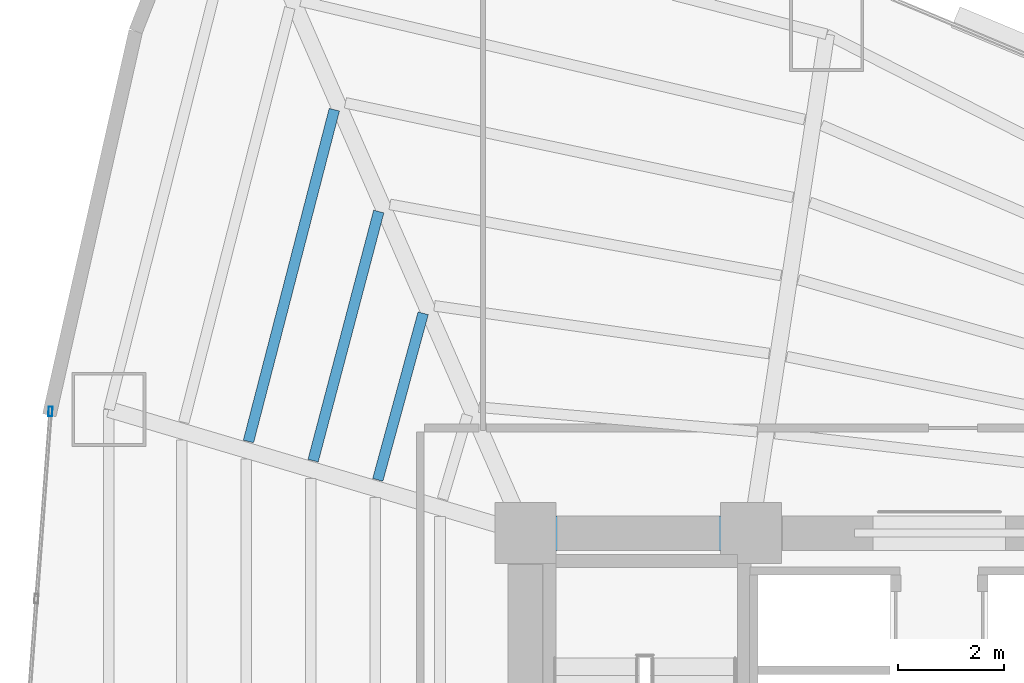
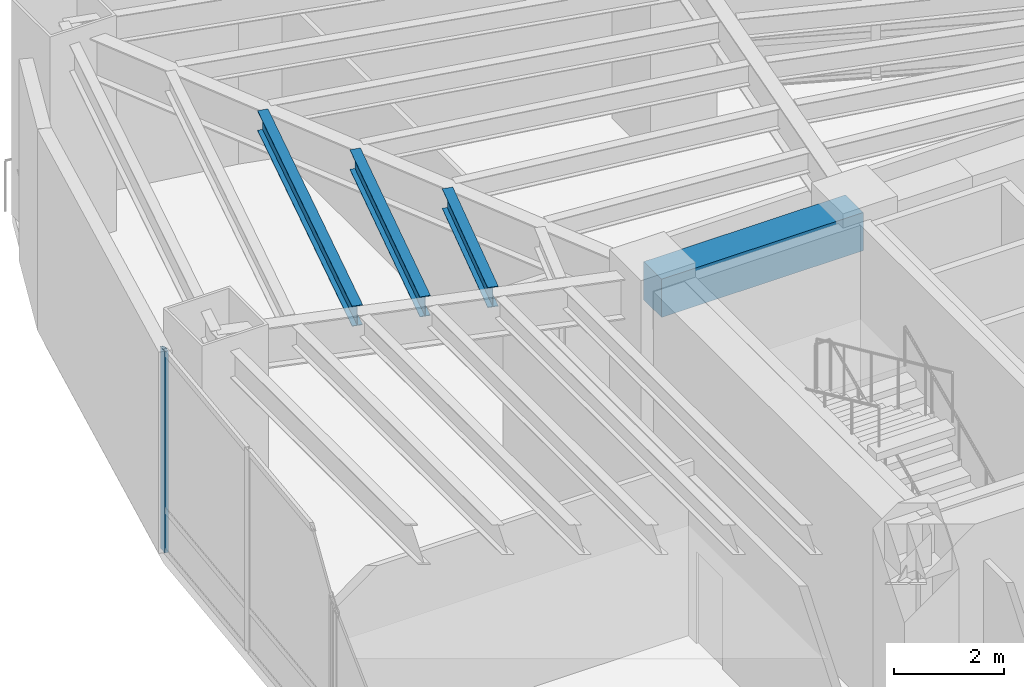
# One storey, part 8 of 18: 4 beams, 1 member, 1 element without a shape of its own.
"""IFC4 building model written with IfcOpenShell, lengths in metres."""

import ifcopenshell
import ifcopenshell.guid

model = None  # the IFC model being written
_history = None  # IfcOwnerHistory: only IFC2X3 demands one
_inside = {}  # id of a spatial element -> (the spatial element, [elements in it])
_under = {}  # id of a project, library or spatial element -> (it, [spatial elements below it])
_declared = {}  # id of a project -> (the project, [libraries it declares])
_typed = {}  # id of a type object -> (the type object, [elements of that type])
_made_of = {}  # id of a material, layer set ... -> (it, [elements and type objects made of it])


def new_model(schema):
    """Start an empty IFC model of exactly this schema.

    Asked for "IFC4X3", IfcOpenShell would pick the latest addendum, in which some entities
    have other attributes; the version numbers below select the first issue.
    IFC2X3 requires an IfcOwnerHistory on every rooted entity: one is made here for all.
    """
    global model, _history
    if schema == "IFC4X3":
        model = ifcopenshell.file(schema_version=(4, 3, 0, 0))
    else:
        model = ifcopenshell.file(schema=schema)
    _inside.clear()
    _under.clear()
    _declared.clear()
    _typed.clear()
    _made_of.clear()
    _history = None
    if model.schema == "IFC2X3":
        org = make("IfcOrganization", Name="unknown")
        user = make(
            "IfcPersonAndOrganization",
            ThePerson=make("IfcPerson", FamilyName="unknown"),
            TheOrganization=org,
        )
        app = make(
            "IfcApplication",
            ApplicationDeveloper=org,
            Version="unknown",
            ApplicationFullName="unknown",
            ApplicationIdentifier="unknown",
        )
        _history = make(
            "IfcOwnerHistory",
            OwningUser=user,
            OwningApplication=app,
            ChangeAction="ADDED",
            CreationDate=0,
        )
    return model


def make(cls, **values):
    """One entity of the class cls with the attributes given. An attribute that is None is left unset."""
    return model.create_entity(
        cls, **{name: value for name, value in values.items() if value is not None}
    )


def rooted(cls, **values):
    """An entity with a GlobalId (a new one), such as an element, a storey or a relation."""
    return make(cls, GlobalId=ifcopenshell.guid.new(), OwnerHistory=_history, **values)


def si_unit(unit_type, name, prefix=None):
    """IfcSIUnit, for example si_unit("LENGTHUNIT", "METRE", prefix="MILLI")."""
    return make("IfcSIUnit", UnitType=unit_type, Prefix=prefix, Name=name)


def assignment(units):
    """IfcUnitAssignment: the units of a project."""
    return None if units is None else make("IfcUnitAssignment", Units=units)


def point(xyz):
    """IfcCartesianPoint."""
    return None if xyz is None else make("IfcCartesianPoint", Coordinates=xyz)


def direction(xyz):
    """IfcDirection."""
    return None if xyz is None else make("IfcDirection", DirectionRatios=xyz)


def frame(location, z_axis=None, x_axis=None):
    """IfcAxis2Placement3D, a coordinate frame: its origin and axes. An axis left out is left unset."""
    return make(
        "IfcAxis2Placement3D",
        Location=point(location),
        Axis=direction(z_axis),
        RefDirection=direction(x_axis),
    )


def frame_2d(location, x_axis=None):
    """IfcAxis2Placement2D, a coordinate frame in the plane: its origin and x axis."""
    return make(
        "IfcAxis2Placement2D", Location=point(location), RefDirection=direction(x_axis)
    )


def origin():
    """The frame at (0, 0, 0) with its axes left unset."""
    return frame((0.0, 0.0, 0.0))


def origin_2d():
    """The frame at (0, 0) in the plane with its x axis left unset."""
    return frame_2d((0.0, 0.0))


def place(relative_to, where):
    """IfcLocalPlacement: puts the frame where relative to a parent placement (None: the world)."""
    return make(
        "IfcLocalPlacement", PlacementRelTo=relative_to, RelativePlacement=where
    )


def context(
    kind, dimensions, precision=None, world=None, true_north=None, identifier=None
):
    """IfcGeometricRepresentationContext, for example the 3D "Model" context."""
    return make(
        "IfcGeometricRepresentationContext",
        ContextIdentifier=identifier,
        ContextType=kind,
        CoordinateSpaceDimension=dimensions,
        Precision=precision,
        WorldCoordinateSystem=world,
        TrueNorth=true_north,
    )


def subcontext(parent, identifier, kind, view, scale=None):
    """IfcGeometricRepresentationSubContext, for example "Body" below "Model"."""
    return make(
        "IfcGeometricRepresentationSubContext",
        ContextIdentifier=identifier,
        ContextType=kind,
        ParentContext=parent,
        TargetScale=scale,
        TargetView=view,
    )


def project(units=None, contexts=None):
    """IfcProject with its units and contexts."""
    return rooted(
        "IfcProject",
        Name="project",
        RepresentationContexts=contexts,
        UnitsInContext=assignment(units),
    )


def spatial(cls, under=None, at=None, **own):
    """A site, building, storey or space (cls), placed at a placement, below another one or the project."""
    s = rooted(cls, ObjectPlacement=at, **own)
    if under is not None:
        _under.setdefault(under.id(), (under, []))[1].append(s)
    return s


def profile(cls, at=None, kind="AREA", **sizes):
    """A parametric profile (cls). Its sizes go by their IFC names, for example OverallWidth=200.0."""
    return make(cls, ProfileType=kind, Position=at, **sizes)


def rectangle(**sizes):
    """IfcRectangleProfileDef."""
    return profile("IfcRectangleProfileDef", **sizes)


def hollow_rectangle(**sizes):
    """IfcRectangleHollowProfileDef."""
    return profile("IfcRectangleHollowProfileDef", **sizes)


def i_section(**sizes):
    """IfcIShapeProfileDef."""
    return profile("IfcIShapeProfileDef", **sizes)


def extrude(swept, where, along, depth):
    """IfcExtrudedAreaSolid: the profile swept, set in the frame where, extruded along a direction by depth."""
    return make(
        "IfcExtrudedAreaSolid",
        SweptArea=swept,
        Position=where,
        ExtrudedDirection=direction(along),
        Depth=depth,
    )


def shape(context_of_items, identifier, shape_type, items):
    """IfcShapeRepresentation: the items that make up one representation, for example the "Body"."""
    return make(
        "IfcShapeRepresentation",
        ContextOfItems=context_of_items,
        RepresentationIdentifier=identifier,
        RepresentationType=shape_type,
        Items=items,
    )


def material(Name=None, Category=None):
    """IfcMaterial."""
    return make("IfcMaterial", Name=Name, Category=Category)


def layer(
    of_material, thickness, ventilated=None, Name=None, Category=None, Priority=None
):
    """IfcMaterialLayer: one layer of a wall or slab, of a material (None: an air gap)."""
    return make(
        "IfcMaterialLayer",
        Material=of_material,
        LayerThickness=thickness,
        IsVentilated=ventilated,
        Name=Name,
        Category=Category,
        Priority=Priority,
    )


def layer_set(layers, Name=None):
    """IfcMaterialLayerSet."""
    return make("IfcMaterialLayerSet", MaterialLayers=layers, LayerSetName=Name)


def material_profile(
    of_material, cross_section, Name=None, Category=None, Priority=None
):
    """IfcMaterialProfile: a cross section and its material."""
    return make(
        "IfcMaterialProfile",
        Name=Name,
        Material=of_material,
        Profile=cross_section,
        Priority=Priority,
        Category=Category,
    )


def profile_set(profiles, Name=None, composite=None):
    """IfcMaterialProfileSet."""
    return make(
        "IfcMaterialProfileSet",
        Name=Name,
        MaterialProfiles=profiles,
        CompositeProfile=composite,
    )


def made_of(thing, what):
    """Note that an element or type object is made of a material, layer set ...; save() writes the relation."""
    if what is not None:
        _made_of.setdefault(what.id(), (what, []))[1].append(thing)
    return thing


def type_object(cls, material=None, **own):
    """A type object (cls), such as IfcWallType, which elements share."""
    return made_of(rooted(cls, **own), material)


def element(
    cls,
    number,
    at=None,
    inside=None,
    cuts=None,
    type_object=None,
    material=None,
    context=None,
    identifier="Body",
    shape_type=None,
    held_by="IfcProductDefinitionShape",
    body=None,
    shapes=None,
    **own,
):
    """One element of the class cls, such as IfcWall. Its Tag is "e" and its number.

    at: its placement. inside: the storey or other place that contains it. cuts: it is an
    opening in that element (IfcRelVoidsElement). A single representation is given by context,
    identifier, shape_type and body (its items); several are given by shapes. held_by: the class
    of the entity that holds the representations. save() writes the other relations.
    """
    e = rooted(cls, Tag="e%d" % number, ObjectPlacement=at, **own)
    if body is not None:
        shapes = [shape(context, identifier, shape_type, body)]
    if shapes is not None:
        e.Representation = make(held_by, Representations=shapes)
    if inside is not None:
        _inside.setdefault(inside.id(), (inside, []))[1].append(e)
    if cuts is not None:
        rooted(
            "IfcRelVoidsElement", RelatingBuildingElement=cuts, RelatedOpeningElement=e
        )
    if type_object is not None:
        _typed.setdefault(type_object.id(), (type_object, []))[1].append(e)
    return made_of(e, material)


def aggregate(whole, parts):
    """IfcRelAggregates: a whole, such as a stair, and the parts it consists of."""
    return rooted("IfcRelAggregates", RelatingObject=whole, RelatedObjects=parts)


def save(model, path):
    """Write the relations noted so far, then the file.

    IfcRelAggregates (storeys below a building ...), IfcRelContainedInSpatialStructure (elements
    in a storey), IfcRelDefinesByType, IfcRelAssociatesMaterial and IfcRelDeclares: one each for
    every whole, place, type object, material and project.
    """
    for whole, parts in _under.values():
        aggregate(whole, parts)
    for where, things in _inside.values():
        rooted(
            "IfcRelContainedInSpatialStructure",
            RelatedElements=things,
            RelatingStructure=where,
        )
    for kind, things in _typed.values():
        rooted("IfcRelDefinesByType", RelatedObjects=things, RelatingType=kind)
    for what, things in _made_of.values():
        rooted("IfcRelAssociatesMaterial", RelatedObjects=things, RelatingMaterial=what)
    for by, libraries in _declared.values():
        rooted("IfcRelDeclares", RelatingContext=by, RelatedDefinitions=libraries)
    model.write(path)


model = new_model("IFC4")

# Units and contexts
model_context = context("Model", 3, precision=1e-05, world=origin(), true_north=direction((0.0, 1.0)))
body_context = subcontext(model_context, "Body", "Model", "MODEL_VIEW")
ifc_project = project(units=[si_unit("LENGTHUNIT", "METRE"), si_unit("AREAUNIT", "SQUARE_METRE"), si_unit("VOLUMEUNIT", "CUBIC_METRE"), si_unit("PLANEANGLEUNIT", "RADIAN"), si_unit("MASSUNIT", "GRAM", prefix="KILO")], contexts=[model_context])

# Site, building, storey
site_placement = place(None, origin())
site = spatial("IfcSite", under=ifc_project, at=site_placement, CompositionType="ELEMENT")
building_placement = place(site_placement, origin())
building = spatial("IfcBuilding", under=site, at=building_placement, Name="Menara Vayukalpa", CompositionType="ELEMENT")
storey_placement = place(building_placement, frame((0.0, 0.0, 7.199951171875)))
storey = spatial("IfcBuildingStorey", under=building, at=storey_placement, Name="L01", CompositionType="ELEMENT", Elevation=7.199951171875)

# Beams
ifc_material_1 = material(Name="Concrete C60/75", Category="concrete")
ifc_material_profile_1 = material_profile(ifc_material_1, rectangle(XDim=0.64990234375, YDim=0.85009765625, at=origin_2d()), Name="RC 650x850")
ifc_profile_set_1 = profile_set([ifc_material_profile_1], Name="Concrete C60/75")
beam_type_1 = type_object("IfcBeamType", Name="BM-CB1", PredefinedType="BEAM", material=ifc_profile_set_1)
beam_1_placement = place(storey_placement, frame((17.800048828125, 26.800048828125, 4.054931640625), z_axis=(1.0, 0.0, 0.0), x_axis=(0.0, 1.0, 0.0)))
element("IfcBeam", 1, at=beam_1_placement, inside=storey, type_object=beam_type_1, Name="L01 Core Tie Beam CBR4", PredefinedType="BEAM", context=body_context, shape_type="SweptSolid", body=[
    extrude(rectangle(XDim=0.64990234375, YDim=0.85009765625, at=origin_2d()), origin(), (0.0, 0.0, 1.0), 4.25),
])
ifc_material_2 = material(Name="Steel S355", Category="steel")
ifc_material_profile_2 = material_profile(ifc_material_2, i_section(OverallWidth=0.199951171875, OverallDepth=0.449951171875, WebThickness=0.009033203125, FlangeThickness=0.013916015625, at=origin_2d()), Name="WF 450x200x9x14")
ifc_profile_set_2 = profile_set([ifc_material_profile_2], Name="Steel S355")
beam_type_2 = type_object("IfcBeamType", Name="BM-SJ1", PredefinedType="JOIST", material=ifc_profile_set_2)
beam_2_placement = place(storey_placement, frame((15.873779296875, 30.941650390625, 4.255126953125), z_axis=(-0.262945960317, -0.964810562729, 0.0), x_axis=(0.964810562729, -0.262945960317, 0.0)))
element("IfcBeam", 2, at=beam_2_placement, inside=storey, type_object=beam_type_2, Name="L01 Secondary Floor Joist SJ04-2", PredefinedType="JOIST", context=body_context, shape_type="SweptSolid", body=[
    extrude(i_section(OverallWidth=0.199951171875, OverallDepth=0.449951171875, WebThickness=0.009033203125, FlangeThickness=0.013916015625, at=origin_2d()), origin(), (0.0, 0.0, 1.0), 3.25341796875),
])
beam_3_placement = place(storey_placement, frame((15.036865234375, 32.859619140625, 4.255126953125), z_axis=(-0.254819975699, -0.966988510782, 0.0), x_axis=(0.966988510782, -0.254819975699, 0.0)))
element("IfcBeam", 3, at=beam_3_placement, inside=storey, type_object=beam_type_2, Name="L01 Secondary Floor Joist SJ04-3", PredefinedType="JOIST", context=body_context, shape_type="SweptSolid", body=[
    extrude(i_section(OverallWidth=0.199951171875, OverallDepth=0.449951171875, WebThickness=0.009033203125, FlangeThickness=0.013916015625, at=origin_2d()), origin(), (0.0, 0.0, 1.0), 4.855712890625),
])
beam_4_placement = place(storey_placement, frame((14.19921875, 34.77783203125, 4.255126953125), z_axis=(-0.250533111623, -0.968108031152, 0.0), x_axis=(0.968108031152, -0.250533111623, 0.0)))
element("IfcBeam", 4, at=beam_4_placement, inside=storey, type_object=beam_type_2, Name="L01 Secondary Floor Joist SJ04-4", PredefinedType="JOIST", context=body_context, shape_type="SweptSolid", body=[
    extrude(i_section(OverallWidth=0.199951171875, OverallDepth=0.449951171875, WebThickness=0.009033203125, FlangeThickness=0.013916015625, at=origin_2d()), origin(), (0.0, 0.0, 1.0), 6.4580078125),
])

# Curtain wall, member
ifc_material_3 = material(Name="Anodised Terracotta Aluminium Alloy 6063-T6", Category="masonry")
ifc_layer = layer(ifc_material_3, 0.179931640625)
ifc_layer_set = layer_set([ifc_layer], Name="Anodised Terracotta Aluminium Alloy 6063-T6")
curtain_wall_type = type_object("IfcCurtainWallType", Name="CW-CW1", PredefinedType="USERDEFINED", material=ifc_layer_set)
curtain_wall_placement = place(storey_placement, origin())
curtain_wall = element("IfcCurtainWall", 5, at=curtain_wall_placement, inside=storey, type_object=curtain_wall_type, Name="L01 Podium Unitised Ribbon Curtain Wall CW1 10", ObjectType="UNITISED", PredefinedType="USERDEFINED")
ifc_material_4 = material(Name="Anodised Terracotta Aluminium Alloy 6063-T6", Category="masonry")
ifc_material_profile_3 = material_profile(ifc_material_4, hollow_rectangle(XDim=0.074951171875, YDim=0.179931640625, WallThickness=0.00390625, at=origin_2d()), Name="ALU 75x180x4")
ifc_profile_set_3 = profile_set([ifc_material_profile_3], Name="Anodised Terracotta Aluminium Alloy 6063-T6")
member_type = type_object("IfcMemberType", Name="CWM-CW1", PredefinedType="MULLION", material=ifc_profile_set_3)
member_placement = place(storey_placement, frame((8.84912109375, 29.091552734375, 0.0), z_axis=(0.0, 0.0, 1.0), x_axis=(0.997198970825, -0.074794468953, 0.0)))
member = element("IfcMember", 6, at=member_placement, type_object=member_type, Name="CW1 mullion 1", PredefinedType="MULLION", context=body_context, shape_type="SweptSolid", body=[
    extrude(hollow_rectangle(XDim=0.074951171875, YDim=0.179931640625, WallThickness=0.00390625, at=origin_2d()), origin(), (0.0, 0.0, 1.0), 4.47998046875),
])
aggregate(curtain_wall, [member])

save(model, "model.ifc")
